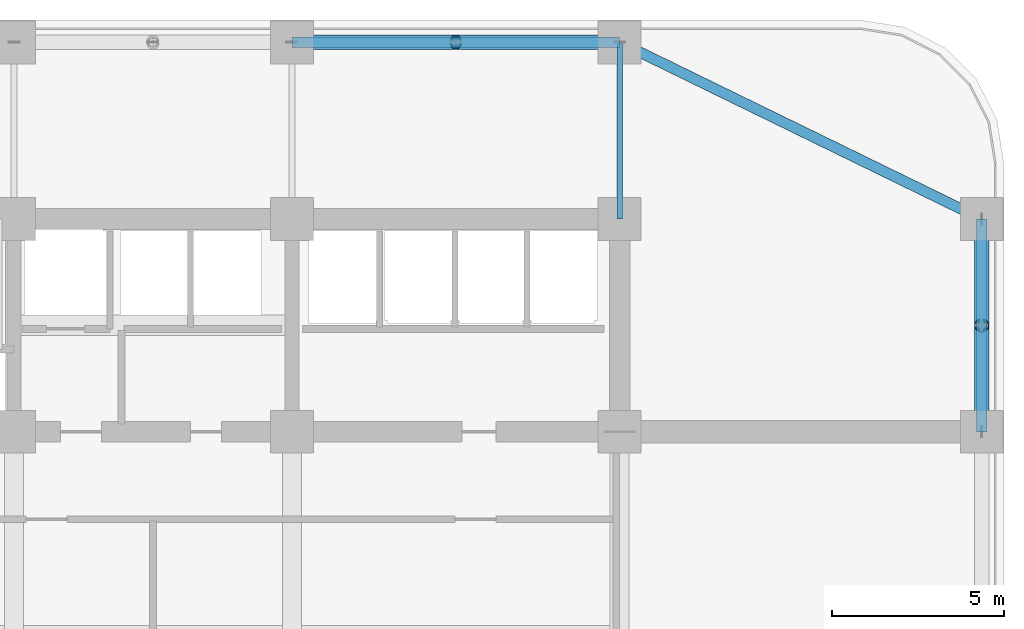
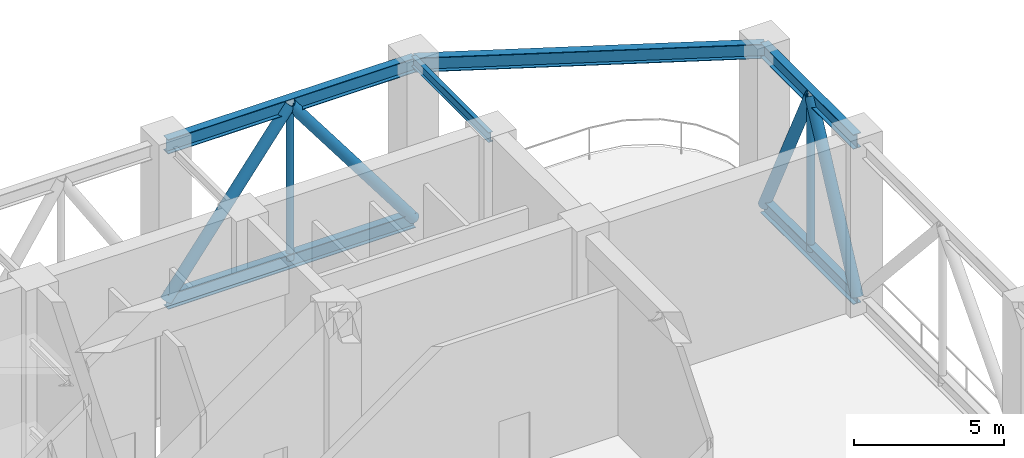
# One storey, part 9 of 20: 6 beams, 6 members.
"""IFC4 building model written with IfcOpenShell, lengths in metres."""

from ifc_helpers import new_model, si_unit, direction, frame, origin, origin_2d, place, context, subcontext, project, spatial, hollow_circle, i_section, extrude, material, material_profile, profile_set, type_object, element, save


model = new_model("IFC4")

# Units and contexts
model_context = context("Model", 3, precision=1e-05, world=origin(), true_north=direction((0.0, 1.0)))
body_context = subcontext(model_context, "Body", "Model", "MODEL_VIEW")
ifc_project = project(units=[si_unit("LENGTHUNIT", "METRE"), si_unit("AREAUNIT", "SQUARE_METRE"), si_unit("VOLUMEUNIT", "CUBIC_METRE"), si_unit("PLANEANGLEUNIT", "RADIAN"), si_unit("MASSUNIT", "GRAM", prefix="KILO")], contexts=[model_context])

# Site, building, storey
site_placement = place(None, origin())
site = spatial("IfcSite", under=ifc_project, at=site_placement, CompositionType="ELEMENT")
building_placement = place(site_placement, origin())
building = spatial("IfcBuilding", under=site, at=building_placement, Name="Svetorya Sky Lyceum", CompositionType="ELEMENT")
storey_placement = place(building_placement, frame((0.0, 0.0, 76.89990234375)))
storey = spatial("IfcBuildingStorey", under=building, at=storey_placement, Name="L19", CompositionType="ELEMENT", Elevation=76.89990234375)

# Beams
ifc_material = material(Name="Steel S355", Category="steel")
ifc_material_profile_1 = material_profile(ifc_material, i_section(OverallWidth=0.1650390625, OverallDepth=0.39990234375, WebThickness=0.008056640625, FlangeThickness=0.012939453125, at=origin_2d()), Name="GOST 40B2")
ifc_profile_set_1 = profile_set([ifc_material_profile_1], Name="Steel S355")
beam_type_1 = type_object("IfcBeamType", Name="BM-STL-40B2", PredefinedType="JOIST", material=ifc_profile_set_1)
beam_1_placement = place(storey_placement, frame((52.800048828125, 45.800048828125, 6.72021484375), z_axis=(0.0, 1.0, 0.0), x_axis=(-1.0, 0.0, 0.0)))
element("IfcBeam", 1, at=beam_1_placement, inside=storey, type_object=beam_type_1, Name="L19 North Bay Floor Girder N4", PredefinedType="JOIST", context=body_context, shape_type="SweptSolid", body=[
    extrude(i_section(OverallWidth=0.1650390625, OverallDepth=0.39990234375, WebThickness=0.008056640625, FlangeThickness=0.012939453125, at=origin_2d()), origin(), (0.0, 0.0, 1.0), 5.14990234375),
])
ifc_material_profile_2 = material_profile(ifc_material, i_section(OverallWidth=0.304931640625, OverallDepth=0.590087890625, WebThickness=0.014892578125, FlangeThickness=0.02392578125, at=origin_2d()), Name="GOST 60Sh2")
ifc_profile_set_2 = profile_set([ifc_material_profile_2], Name="Steel S355")
beam_type_2 = type_object("IfcBeamType", Name="BM-STL-60SH2", PredefinedType="BEAM", material=ifc_profile_set_2)
for number, where, z_axis, x_axis, name in (
    (2, (43.25, 50.949951171875, 0.295166015625), (1.0, 0.0, 0.0), (0.0, 1.0, 0.0), "L19 Belt Truss Bottom Chord N-3"),
    (3, (43.25, 50.949951171875, 6.625), (1.0, 0.0, 0.0), (0.0, 1.0, 0.0), "L19 Belt Truss Top Chord N-3"),
):
    element("IfcBeam", number, at=place(storey_placement, frame(where, z_axis=z_axis, x_axis=x_axis)), inside=storey, type_object=beam_type_2, Name=name, PredefinedType="BEAM", context=body_context, shape_type="SweptSolid", body=[
        extrude(i_section(OverallWidth=0.304931640625, OverallDepth=0.590087890625, WebThickness=0.014892578125, FlangeThickness=0.02392578125, at=origin_2d()), origin(), (0.0, 0.0, 1.0), 9.550048828125),
    ])
for number, where, z_axis, x_axis, name in (
    (4, (63.35009765625, 39.60009765625, 0.295166015625), (0.0, 1.0, 0.0), (-1.0, 0.0, 0.0), "L19 Belt Truss Bottom Chord E-4"),
    (5, (63.35009765625, 39.60009765625, 6.625), (0.0, 1.0, 0.0), (-1.0, 0.0, 0.0), "L19 Belt Truss Top Chord E-4"),
):
    element("IfcBeam", number, at=place(storey_placement, frame(where, z_axis=z_axis, x_axis=x_axis)), inside=storey, type_object=beam_type_2, Name=name, PredefinedType="BEAM", context=body_context, shape_type="SweptSolid", body=[
        extrude(i_section(OverallWidth=0.304931640625, OverallDepth=0.590087890625, WebThickness=0.014892578125, FlangeThickness=0.02392578125, at=origin_2d()), origin(), (0.0, 0.0, 1.0), 6.199951171875),
    ])
beam_2_placement = place(storey_placement, frame((63.35009765625, 45.800048828125, 6.625), z_axis=(-0.898649693653, 0.438666989978, 0.0), x_axis=(-0.438666989978, -0.898649693653, 0.0)))
element("IfcBeam", 6, at=beam_2_placement, inside=storey, type_object=beam_type_2, Name="L19 Belt Truss Corner Tie 3", PredefinedType="BEAM", context=body_context, shape_type="SweptSolid", body=[
    extrude(i_section(OverallWidth=0.304931640625, OverallDepth=0.590087890625, WebThickness=0.014892578125, FlangeThickness=0.02392578125, at=origin_2d()), origin(), (0.0, 0.0, 1.0), 11.739990234375),
])

# Members
ifc_material_profile_3 = material_profile(ifc_material, hollow_circle(Radius=0.212890625, WallThickness=0.01806640625, at=origin_2d()), Name="CHS 426x18")
ifc_profile_set_3 = profile_set([ifc_material_profile_3], Name="Steel S355")
member_type_1 = type_object("IfcMemberType", Name="MB-BRC-CHS426", PredefinedType="BRACE", material=ifc_profile_set_3)
for number, where, z_axis, x_axis, name in (
    (7, (43.25, 50.949951171875, 0.295166015625), (0.602219598405, 0.0, 0.79833048), (0.0, 1.0, 0.0), "L19 Belt Truss Diagonal N-3A"),
    (8, (52.800048828125, 50.949951171875, 0.295166015625), (-0.602239222235, 0.0, 0.79831567641), (0.0, -1.0, 0.0), "L19 Belt Truss Diagonal N-3B"),
):
    element("IfcMember", number, at=place(storey_placement, frame(where, z_axis=z_axis, x_axis=x_axis)), inside=storey, type_object=member_type_1, Name=name, PredefinedType="BRACE", context=body_context, shape_type="SweptSolid", body=[
        extrude(hollow_circle(Radius=0.212890625, WallThickness=0.01806640625, at=origin_2d()), origin(), (0.0, 0.0, 1.0), 7.928955078125),
    ])
member_1_placement = place(storey_placement, frame((63.35009765625, 39.60009765625, 0.295166015625), z_axis=(0.0, 0.439813284341, 0.898089235498), x_axis=(-1.0, 0.0, 0.0)))
element("IfcMember", 9, at=member_1_placement, inside=storey, type_object=member_type_1, Name="L19 Belt Truss Diagonal E-4A", PredefinedType="BRACE", context=body_context, shape_type="SweptSolid", body=[
    extrude(hollow_circle(Radius=0.212890625, WallThickness=0.01806640625, at=origin_2d()), origin(), (0.0, 0.0, 1.0), 7.048095703125),
])
member_2_placement = place(storey_placement, frame((63.35009765625, 45.800048828125, 0.295166015625), z_axis=(0.0, -0.439841222403, 0.898075553099), x_axis=(1.0, 0.0, 0.0)))
element("IfcMember", 10, at=member_2_placement, inside=storey, type_object=member_type_1, Name="L19 Belt Truss Diagonal E-4B", PredefinedType="BRACE", context=body_context, shape_type="SweptSolid", body=[
    extrude(hollow_circle(Radius=0.212890625, WallThickness=0.01806640625, at=origin_2d()), origin(), (0.0, 0.0, 1.0), 7.04833984375),
])
ifc_material_profile_4 = material_profile(ifc_material, hollow_circle(Radius=0.136474609375, WallThickness=0.011962890625, at=origin_2d()), Name="CHS 273x12")
ifc_profile_set_4 = profile_set([ifc_material_profile_4], Name="Steel S355")
member_type_2 = type_object("IfcMemberType", Name="MB-STR-CHS273", PredefinedType="STRUT", material=ifc_profile_set_4)
for number, where, z_axis, x_axis, name in (
    (11, (48.02490234375, 50.949951171875, 0.295166015625), (0.0, 0.0, 1.0), (1.0, 0.0, 0.0), "L19 Belt Truss Post N-3"),
    (12, (63.35009765625, 42.699951171875, 0.295166015625), (0.0, 0.0, 1.0), (1.0, 0.0, 0.0), "L19 Belt Truss Post E-4"),
):
    element("IfcMember", number, at=place(storey_placement, frame(where, z_axis=z_axis, x_axis=x_axis)), inside=storey, type_object=member_type_2, Name=name, PredefinedType="STRUT", context=body_context, shape_type="SweptSolid", body=[
        extrude(hollow_circle(Radius=0.136474609375, WallThickness=0.011962890625, at=origin_2d()), origin(), (0.0, 0.0, 1.0), 6.329833984375),
    ])

save(model, "model.ifc")
